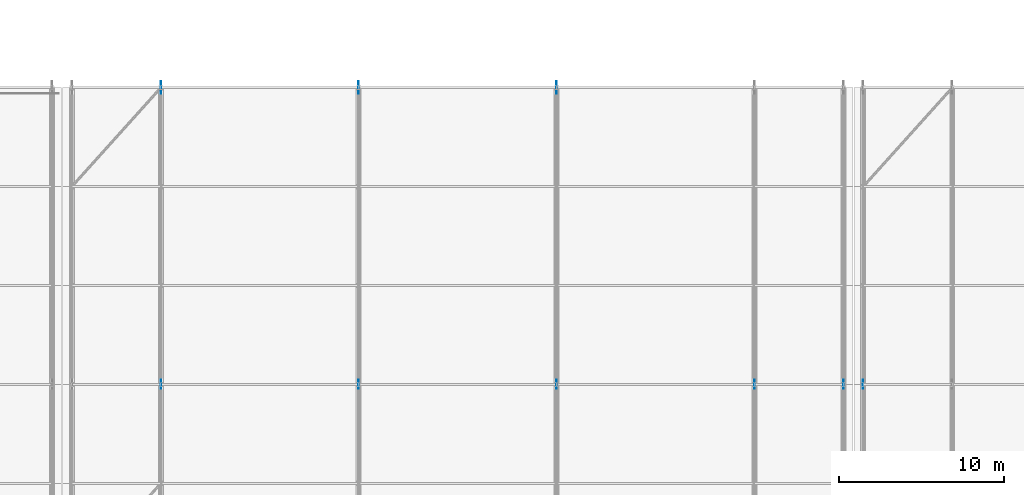
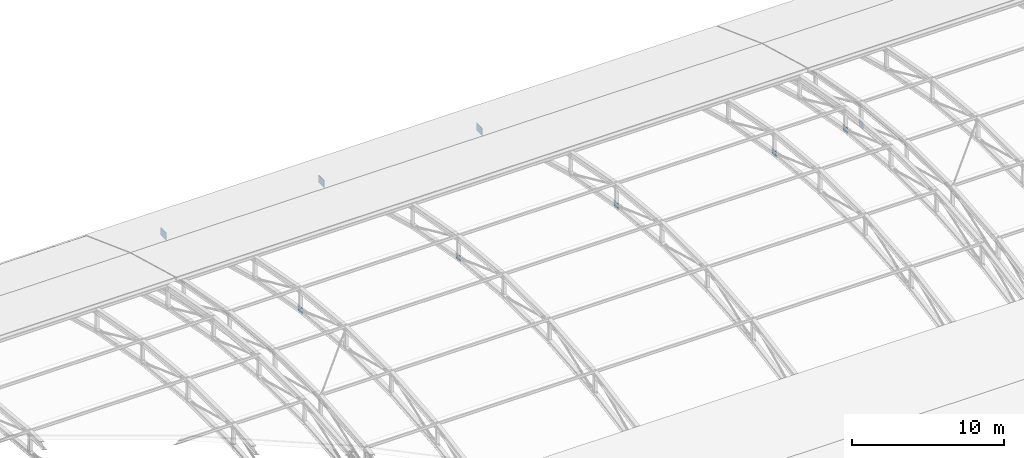
# One storey, part 182 of 204: 9 plates.
"""IFC4 building model written with IfcOpenShell, lengths in metres."""

from ifc_helpers import new_model, si_unit, direction, frame, origin, origin_2d, place, context, subcontext, project, spatial, rectangle, extrude, material, layer, layer_set, type_object, element, save


model = new_model("IFC4")

# Units and contexts
model_context = context("Model", 3, precision=1e-05, world=origin(), true_north=direction((0.0, 1.0)))
body_context = subcontext(model_context, "Body", "Model", "MODEL_VIEW")
ifc_project = project(units=[si_unit("LENGTHUNIT", "METRE"), si_unit("AREAUNIT", "SQUARE_METRE"), si_unit("VOLUMEUNIT", "CUBIC_METRE"), si_unit("PLANEANGLEUNIT", "RADIAN"), si_unit("MASSUNIT", "GRAM", prefix="KILO")], contexts=[model_context])

# Site, building, storey
site_placement = place(None, origin())
site = spatial("IfcSite", under=ifc_project, at=site_placement, CompositionType="ELEMENT")
building_placement = place(site_placement, origin())
building = spatial("IfcBuilding", under=site, at=building_placement, Name="Zilviju Railside Exhibition Hall", CompositionType="ELEMENT")
storey_placement = place(building_placement, frame((0.0, 0.0, 21.0)))
storey = spatial("IfcBuildingStorey", under=building, at=storey_placement, Name="RF", CompositionType="ELEMENT", Elevation=21.0)

# Plates
ifc_material = material(Name="Steel S355ML", Category="steel")
ifc_layer_1 = layer(ifc_material, 0.028076171875)
ifc_layer_set_1 = layer_set([ifc_layer_1], Name="Steel S355ML")
plate_type_1 = type_object("IfcPlateType", Name="PLATE-GP-28", PredefinedType="SHEET", material=ifc_layer_set_1)
for number, where, z_axis, x_axis, name in (
    (1, (132.0, 36.0, -3.072265625), (0.0, 0.0, 1.0), (1.0, 0.0, 0.0), "V1 Truss Node Gusset Plate X=132.0 N6"),
    (2, (144.0, 36.0, -3.072265625), (0.0, 0.0, 1.0), (1.0, 0.0, 0.0), "V1 Truss Node Gusset Plate X=144.0 N6"),
    (3, (156.0, 36.0, -3.072265625), (0.0, 0.0, 1.0), (1.0, 0.0, 0.0), "V1 Truss Node Gusset Plate X=156.0 N6"),
    (4, (168.0, 36.0, -3.072265625), (0.0, 0.0, 1.0), (1.0, 0.0, 0.0), "V1 Truss Node Gusset Plate X=168.0 N6"),
    (5, (173.39990234375, 36.0, -3.072265625), (0.0, 0.0, 1.0), (1.0, 0.0, 0.0), "V1 Truss Node Gusset Plate X=173.4 N6"),
    (6, (174.60009765625, 36.0, -3.072265625), (0.0, 0.0, 1.0), (1.0, 0.0, 0.0), "V1 Truss Node Gusset Plate X=174.6 N6"),
):
    element("IfcPlate", number, at=place(storey_placement, frame(where, z_axis=z_axis, x_axis=x_axis)), inside=storey, type_object=plate_type_1, Name=name, PredefinedType="SHEET", context=body_context, shape_type="SweptSolid", body=[
        extrude(rectangle(XDim=0.028076171875, YDim=0.550048828125, at=origin_2d()), origin(), (0.0, 0.0, 1.0), 0.5),
    ])
ifc_layer_2 = layer(ifc_material, 0.031982421875)
ifc_layer_set_2 = layer_set([ifc_layer_2], Name="Steel S355ML")
plate_type_2 = type_object("IfcPlateType", Name="PLATE-GP-32", PredefinedType="SHEET", material=ifc_layer_set_2)
for number, where, z_axis, x_axis, name in (
    (7, (132.0, 54.0, -7.949951171875), (0.0, 0.0, 1.0), (1.0, 0.0, 0.0), "V1 Arch Pin-Shoe Gusset Plate X=132.0"),
    (8, (144.0, 54.0, -7.949951171875), (0.0, 0.0, 1.0), (1.0, 0.0, 0.0), "V1 Arch Pin-Shoe Gusset Plate X=144.0"),
    (9, (156.0, 54.0, -7.949951171875), (0.0, 0.0, 1.0), (1.0, 0.0, 0.0), "V1 Arch Pin-Shoe Gusset Plate X=156.0"),
):
    element("IfcPlate", number, at=place(storey_placement, frame(where, z_axis=z_axis, x_axis=x_axis)), inside=storey, type_object=plate_type_2, Name=name, PredefinedType="SHEET", context=body_context, shape_type="SweptSolid", body=[
        extrude(rectangle(XDim=0.031982421875, YDim=0.75, at=origin_2d()), origin(), (0.0, 0.0, 1.0), 0.60009765625),
    ])

save(model, "model.ifc")
